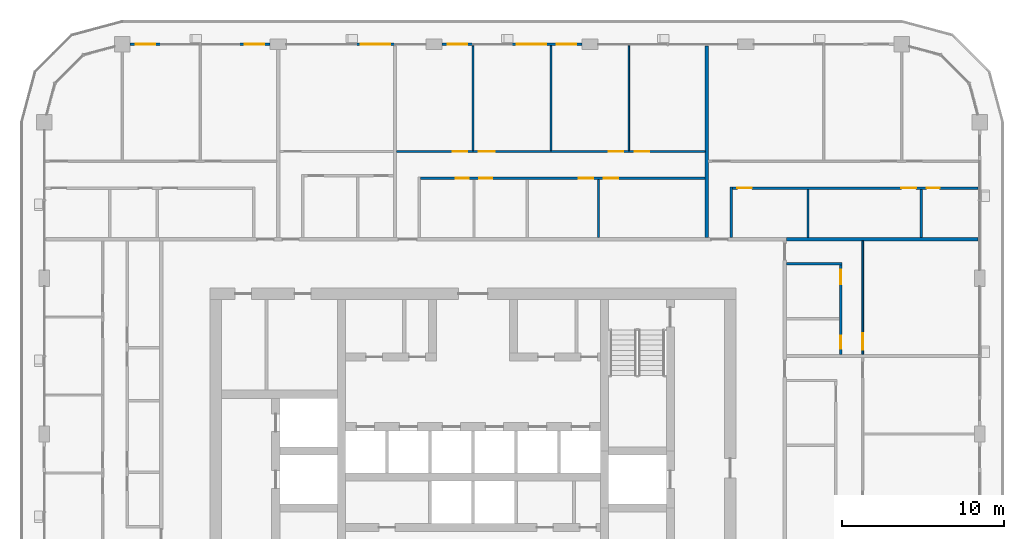
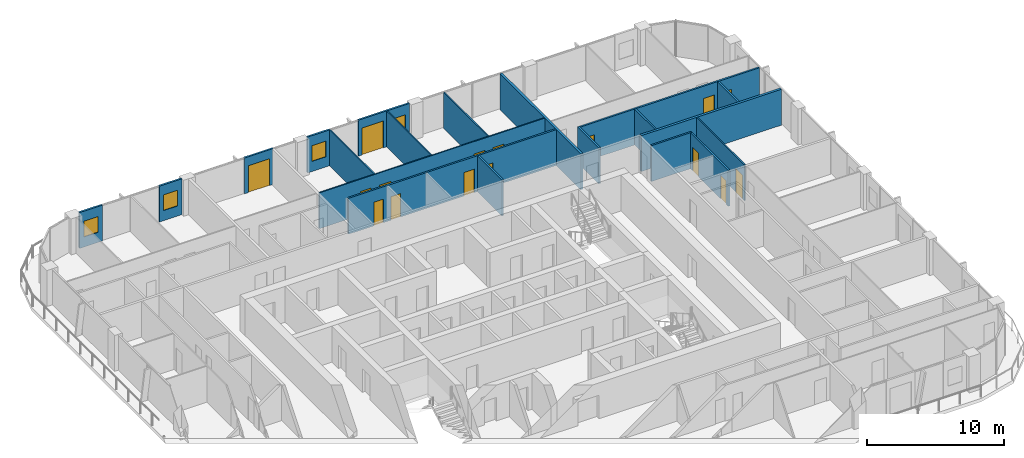
# One storey, part 15 of 23: 20 walls, 16 doors, 4 windows, 20 openings.
"""IFC4 building model written with IfcOpenShell, lengths in metres."""

import ifcopenshell
import ifcopenshell.guid

model = None  # the IFC model being written
_history = None  # IfcOwnerHistory: only IFC2X3 demands one
_inside = {}  # id of a spatial element -> (the spatial element, [elements in it])
_under = {}  # id of a project, library or spatial element -> (it, [spatial elements below it])
_declared = {}  # id of a project -> (the project, [libraries it declares])
_typed = {}  # id of a type object -> (the type object, [elements of that type])
_made_of = {}  # id of a material, layer set ... -> (it, [elements and type objects made of it])


def new_model(schema):
    """Start an empty IFC model of exactly this schema.

    Asked for "IFC4X3", IfcOpenShell would pick the latest addendum, in which some entities
    have other attributes; the version numbers below select the first issue.
    IFC2X3 requires an IfcOwnerHistory on every rooted entity: one is made here for all.
    """
    global model, _history
    if schema == "IFC4X3":
        model = ifcopenshell.file(schema_version=(4, 3, 0, 0))
    else:
        model = ifcopenshell.file(schema=schema)
    _inside.clear()
    _under.clear()
    _declared.clear()
    _typed.clear()
    _made_of.clear()
    _history = None
    if model.schema == "IFC2X3":
        org = make("IfcOrganization", Name="unknown")
        user = make(
            "IfcPersonAndOrganization",
            ThePerson=make("IfcPerson", FamilyName="unknown"),
            TheOrganization=org,
        )
        app = make(
            "IfcApplication",
            ApplicationDeveloper=org,
            Version="unknown",
            ApplicationFullName="unknown",
            ApplicationIdentifier="unknown",
        )
        _history = make(
            "IfcOwnerHistory",
            OwningUser=user,
            OwningApplication=app,
            ChangeAction="ADDED",
            CreationDate=0,
        )
    return model


def make(cls, **values):
    """One entity of the class cls with the attributes given. An attribute that is None is left unset."""
    return model.create_entity(
        cls, **{name: value for name, value in values.items() if value is not None}
    )


def rooted(cls, **values):
    """An entity with a GlobalId (a new one), such as an element, a storey or a relation."""
    return make(cls, GlobalId=ifcopenshell.guid.new(), OwnerHistory=_history, **values)


def si_unit(unit_type, name, prefix=None):
    """IfcSIUnit, for example si_unit("LENGTHUNIT", "METRE", prefix="MILLI")."""
    return make("IfcSIUnit", UnitType=unit_type, Prefix=prefix, Name=name)


def assignment(units):
    """IfcUnitAssignment: the units of a project."""
    return None if units is None else make("IfcUnitAssignment", Units=units)


def point(xyz):
    """IfcCartesianPoint."""
    return None if xyz is None else make("IfcCartesianPoint", Coordinates=xyz)


def direction(xyz):
    """IfcDirection."""
    return None if xyz is None else make("IfcDirection", DirectionRatios=xyz)


def frame(location, z_axis=None, x_axis=None):
    """IfcAxis2Placement3D, a coordinate frame: its origin and axes. An axis left out is left unset."""
    return make(
        "IfcAxis2Placement3D",
        Location=point(location),
        Axis=direction(z_axis),
        RefDirection=direction(x_axis),
    )


def frame_2d(location, x_axis=None):
    """IfcAxis2Placement2D, a coordinate frame in the plane: its origin and x axis."""
    return make(
        "IfcAxis2Placement2D", Location=point(location), RefDirection=direction(x_axis)
    )


def origin():
    """The frame at (0, 0, 0) with its axes left unset."""
    return frame((0.0, 0.0, 0.0))


def place(relative_to, where):
    """IfcLocalPlacement: puts the frame where relative to a parent placement (None: the world)."""
    return make(
        "IfcLocalPlacement", PlacementRelTo=relative_to, RelativePlacement=where
    )


def context(
    kind, dimensions, precision=None, world=None, true_north=None, identifier=None
):
    """IfcGeometricRepresentationContext, for example the 3D "Model" context."""
    return make(
        "IfcGeometricRepresentationContext",
        ContextIdentifier=identifier,
        ContextType=kind,
        CoordinateSpaceDimension=dimensions,
        Precision=precision,
        WorldCoordinateSystem=world,
        TrueNorth=true_north,
    )


def subcontext(parent, identifier, kind, view, scale=None):
    """IfcGeometricRepresentationSubContext, for example "Body" below "Model"."""
    return make(
        "IfcGeometricRepresentationSubContext",
        ContextIdentifier=identifier,
        ContextType=kind,
        ParentContext=parent,
        TargetScale=scale,
        TargetView=view,
    )


def project(units=None, contexts=None):
    """IfcProject with its units and contexts."""
    return rooted(
        "IfcProject",
        Name="project",
        RepresentationContexts=contexts,
        UnitsInContext=assignment(units),
    )


def spatial(cls, under=None, at=None, **own):
    """A site, building, storey or space (cls), placed at a placement, below another one or the project."""
    s = rooted(cls, ObjectPlacement=at, **own)
    if under is not None:
        _under.setdefault(under.id(), (under, []))[1].append(s)
    return s


def profile(cls, at=None, kind="AREA", **sizes):
    """A parametric profile (cls). Its sizes go by their IFC names, for example OverallWidth=200.0."""
    return make(cls, ProfileType=kind, Position=at, **sizes)


def rectangle(**sizes):
    """IfcRectangleProfileDef."""
    return profile("IfcRectangleProfileDef", **sizes)


def extrude(swept, where, along, depth):
    """IfcExtrudedAreaSolid: the profile swept, set in the frame where, extruded along a direction by depth."""
    return make(
        "IfcExtrudedAreaSolid",
        SweptArea=swept,
        Position=where,
        ExtrudedDirection=direction(along),
        Depth=depth,
    )


def shape(context_of_items, identifier, shape_type, items):
    """IfcShapeRepresentation: the items that make up one representation, for example the "Body"."""
    return make(
        "IfcShapeRepresentation",
        ContextOfItems=context_of_items,
        RepresentationIdentifier=identifier,
        RepresentationType=shape_type,
        Items=items,
    )


def material(Name=None, Category=None):
    """IfcMaterial."""
    return make("IfcMaterial", Name=Name, Category=Category)


def layer(
    of_material, thickness, ventilated=None, Name=None, Category=None, Priority=None
):
    """IfcMaterialLayer: one layer of a wall or slab, of a material (None: an air gap)."""
    return make(
        "IfcMaterialLayer",
        Material=of_material,
        LayerThickness=thickness,
        IsVentilated=ventilated,
        Name=Name,
        Category=Category,
        Priority=Priority,
    )


def layer_set(layers, Name=None):
    """IfcMaterialLayerSet."""
    return make("IfcMaterialLayerSet", MaterialLayers=layers, LayerSetName=Name)


def made_of(thing, what):
    """Note that an element or type object is made of a material, layer set ...; save() writes the relation."""
    if what is not None:
        _made_of.setdefault(what.id(), (what, []))[1].append(thing)
    return thing


def type_object(cls, material=None, **own):
    """A type object (cls), such as IfcWallType, which elements share."""
    return made_of(rooted(cls, **own), material)


def element(
    cls,
    number,
    at=None,
    inside=None,
    cuts=None,
    type_object=None,
    material=None,
    context=None,
    identifier="Body",
    shape_type=None,
    held_by="IfcProductDefinitionShape",
    body=None,
    shapes=None,
    **own,
):
    """One element of the class cls, such as IfcWall. Its Tag is "e" and its number.

    at: its placement. inside: the storey or other place that contains it. cuts: it is an
    opening in that element (IfcRelVoidsElement). A single representation is given by context,
    identifier, shape_type and body (its items); several are given by shapes. held_by: the class
    of the entity that holds the representations. save() writes the other relations.
    """
    e = rooted(cls, Tag="e%d" % number, ObjectPlacement=at, **own)
    if body is not None:
        shapes = [shape(context, identifier, shape_type, body)]
    if shapes is not None:
        e.Representation = make(held_by, Representations=shapes)
    if inside is not None:
        _inside.setdefault(inside.id(), (inside, []))[1].append(e)
    if cuts is not None:
        rooted(
            "IfcRelVoidsElement", RelatingBuildingElement=cuts, RelatedOpeningElement=e
        )
    if type_object is not None:
        _typed.setdefault(type_object.id(), (type_object, []))[1].append(e)
    return made_of(e, material)


def fill(opening, filler):
    """IfcRelFillsElement: the door or window that sits in an opening."""
    return rooted(
        "IfcRelFillsElement",
        RelatingOpeningElement=opening,
        RelatedBuildingElement=filler,
    )


def aggregate(whole, parts):
    """IfcRelAggregates: a whole, such as a stair, and the parts it consists of."""
    return rooted("IfcRelAggregates", RelatingObject=whole, RelatedObjects=parts)


def save(model, path):
    """Write the relations noted so far, then the file.

    IfcRelAggregates (storeys below a building ...), IfcRelContainedInSpatialStructure (elements
    in a storey), IfcRelDefinesByType, IfcRelAssociatesMaterial and IfcRelDeclares: one each for
    every whole, place, type object, material and project.
    """
    for whole, parts in _under.values():
        aggregate(whole, parts)
    for where, things in _inside.values():
        rooted(
            "IfcRelContainedInSpatialStructure",
            RelatedElements=things,
            RelatingStructure=where,
        )
    for kind, things in _typed.values():
        rooted("IfcRelDefinesByType", RelatedObjects=things, RelatingType=kind)
    for what, things in _made_of.values():
        rooted("IfcRelAssociatesMaterial", RelatedObjects=things, RelatingMaterial=what)
    for by, libraries in _declared.values():
        rooted("IfcRelDeclares", RelatingContext=by, RelatedDefinitions=libraries)
    model.write(path)


model = new_model("IFC4")

# Units and contexts
model_context = context("Model", 3, precision=1e-05, world=origin(), true_north=direction((0.0, 1.0)))
body_context = subcontext(model_context, "Body", "Model", "MODEL_VIEW")
ifc_project = project(units=[si_unit("LENGTHUNIT", "METRE"), si_unit("AREAUNIT", "SQUARE_METRE"), si_unit("VOLUMEUNIT", "CUBIC_METRE"), si_unit("PLANEANGLEUNIT", "RADIAN"), si_unit("MASSUNIT", "GRAM", prefix="KILO")], contexts=[model_context])

# Site, building, storey
site_placement = place(None, origin())
site = spatial("IfcSite", under=ifc_project, at=site_placement, CompositionType="ELEMENT")
building_placement = place(site_placement, origin())
building = spatial("IfcBuilding", under=site, at=building_placement, Name="Madar Terraces", CompositionType="ELEMENT")
storey_placement = place(building_placement, frame((0.0, 0.0, 226.300048828125)))
storey = spatial("IfcBuildingStorey", under=building, at=storey_placement, Name="L59", CompositionType="ELEMENT", Elevation=226.300048828125)

# Wall, openings, door, window
ifc_material_1 = material(Name="Aluminium composite panel, black, over insulated backing", Category="aluminium")
ifc_layer_1 = layer(ifc_material_1, 0.14990234375)
ifc_layer_set_1 = layer_set([ifc_layer_1], Name="Facade bay panel 150")
wall_type_1 = type_object("IfcWallType", Name="Facade bay panel 150", PredefinedType="SOLIDWALL", material=ifc_layer_set_1)
wall_1_placement = place(storey_placement, frame((37.89990234375, 52.800048828125, 0.0), z_axis=(0.0, 0.0, 1.0), x_axis=(-1.0, 0.0, 0.0)))
wall_1 = element("IfcWall", 1, at=wall_1_placement, inside=storey, type_object=wall_type_1, Name="Facade bay panel", PredefinedType="SOLIDWALL", context=body_context, shape_type="SweptSolid", body=[
    extrude(rectangle(XDim=4.2998046875, YDim=0.14990234375, at=frame_2d((2.14990234375, 0.0))), origin(), (0.0, 0.0, 1.0), 3.199951171875),
])
opening_1_placement = place(wall_1_placement, frame((0.35009765625, 0.0, 0.89990234375)))
opening_1 = element("IfcOpeningElement", 2, at=opening_1_placement, cuts=wall_1, Name="Opening W1", PredefinedType="OPENING", context=body_context, shape_type="SweptSolid", body=[
    extrude(rectangle(XDim=1.199951171875, YDim=1.39990234375, at=frame_2d((0.60009765625, 0.699951171875))), frame((0.0, 0.0849609375, 0.0), z_axis=(0.0, -1.0, 0.0), x_axis=(1.0, 0.0, 0.0)), (0.0, 0.0, 1.0), 0.169921875),
])
opening_2_placement = place(wall_1_placement, frame((2.199951171875, 0.0, 0.0)))
opening_2 = element("IfcOpeningElement", 3, at=opening_2_placement, cuts=wall_1, Name="Opening ED1", PredefinedType="OPENING", context=body_context, shape_type="SweptSolid", body=[
    extrude(rectangle(XDim=1.800048828125, YDim=2.39990234375, at=frame_2d((0.89990234375, 1.199951171875))), frame((0.0, 0.0849609375, 0.0), z_axis=(0.0, -1.0, 0.0), x_axis=(1.0, 0.0, 0.0)), (0.0, 0.0, 1.0), 0.169921875),
])
ifc_material_2 = material(Name="Glass, clear, with black aluminium frame", Category="aluminium")
door_type_1 = type_object("IfcDoorType", Name="Balcony and terrace sliding door 1800 x 2400", OperationType="SLIDING_TO_LEFT", PredefinedType="DOOR", material=ifc_material_2)
door_1_placement = place(opening_2_placement, origin())
door_1 = element("IfcDoor", 4, at=door_1_placement, inside=storey, type_object=door_type_1, Name="Balcony door", OperationType="SLIDING_TO_LEFT", OverallHeight=2.39990234375, OverallWidth=1.800048828125, PredefinedType="DOOR", context=body_context, shape_type="SweptSolid", body=[
    extrude(rectangle(XDim=1.800048828125, YDim=2.39990234375, at=frame_2d((0.89990234375, 1.199951171875))), frame((0.0, 0.02490234375, 0.0), z_axis=(0.0, -1.0, 0.0), x_axis=(1.0, 0.0, 0.0)), (0.0, 0.0, 1.0), 0.050048828125),
])
fill(opening_2, door_1)
ifc_material_3 = material(Name="Glass, clear, with black aluminium frame", Category="aluminium")
window_type = type_object("IfcWindowType", Name="Vent window 1200 x 1400", PartitioningType="SINGLE_PANEL", PredefinedType="WINDOW", material=ifc_material_3)
window_1_placement = place(opening_1_placement, origin())
window_1 = element("IfcWindow", 5, at=window_1_placement, inside=storey, type_object=window_type, Name="Operable vent window", OverallHeight=1.39990234375, OverallWidth=1.199951171875, PartitioningType="SINGLE_PANEL", PredefinedType="WINDOW", context=body_context, shape_type="SweptSolid", body=[
    extrude(rectangle(XDim=1.199951171875, YDim=1.39990234375, at=frame_2d((0.60009765625, 0.699951171875))), frame((0.0, 0.030029296875, 0.0), z_axis=(0.0, -1.0, 0.0), x_axis=(1.0, 0.0, 0.0)), (0.0, 0.0, 1.0), 0.06005859375),
])
fill(opening_1, window_1)

# Wall, opening, window
wall_2_placement = place(storey_placement, frame((31.199951171875, 52.800048828125, 0.0), z_axis=(0.0, 0.0, 1.0), x_axis=(-1.0, 0.0, 0.0)))
wall_2 = element("IfcWall", 6, at=wall_2_placement, inside=storey, type_object=wall_type_1, Name="Facade bay panel", PredefinedType="SOLIDWALL", context=body_context, shape_type="SweptSolid", body=[
    extrude(rectangle(XDim=1.89990234375, YDim=0.14990234375, at=frame_2d((0.949951171875, 0.0))), origin(), (0.0, 0.0, 1.0), 3.199951171875),
])
opening_3_placement = place(wall_2_placement, frame((0.35009765625, 0.0, 0.89990234375)))
opening_3 = element("IfcOpeningElement", 7, at=opening_3_placement, cuts=wall_2, Name="Opening W1", PredefinedType="OPENING", context=body_context, shape_type="SweptSolid", body=[
    extrude(rectangle(XDim=1.199951171875, YDim=1.39990234375, at=frame_2d((0.60009765625, 0.699951171875))), frame((0.0, 0.0849609375, 0.0), z_axis=(0.0, -1.0, 0.0), x_axis=(1.0, 0.0, 0.0)), (0.0, 0.0, 1.0), 0.169921875),
])
window_2_placement = place(opening_3_placement, origin())
window_2 = element("IfcWindow", 8, at=window_2_placement, inside=storey, type_object=window_type, Name="Operable vent window", OverallHeight=1.39990234375, OverallWidth=1.199951171875, PartitioningType="SINGLE_PANEL", PredefinedType="WINDOW", context=body_context, shape_type="SweptSolid", body=[
    extrude(rectangle(XDim=1.199951171875, YDim=1.39990234375, at=frame_2d((0.60009765625, 0.699951171875))), frame((0.0, 0.030029296875, 0.0), z_axis=(0.0, -1.0, 0.0), x_axis=(1.0, 0.0, 0.0)), (0.0, 0.0, 1.0), 0.06005859375),
])
fill(opening_3, window_2)

# Wall, opening, door
wall_3_placement = place(storey_placement, frame((26.39990234375, 52.800048828125, 0.0), z_axis=(0.0, 0.0, 1.0), x_axis=(-1.0, 0.0, 0.0)))
wall_3 = element("IfcWall", 9, at=wall_3_placement, inside=storey, type_object=wall_type_1, Name="Facade bay panel", PredefinedType="SOLIDWALL", context=body_context, shape_type="SweptSolid", body=[
    extrude(rectangle(XDim=2.39990234375, YDim=0.14990234375, at=frame_2d((1.199951171875, 0.0))), origin(), (0.0, 0.0, 1.0), 3.199951171875),
])
opening_4_placement = place(wall_3_placement, frame((0.300048828125, 0.0, 0.0)))
opening_4 = element("IfcOpeningElement", 10, at=opening_4_placement, cuts=wall_3, Name="Opening ED1", PredefinedType="OPENING", context=body_context, shape_type="SweptSolid", body=[
    extrude(rectangle(XDim=1.800048828125, YDim=2.39990234375, at=frame_2d((0.89990234375, 1.199951171875))), frame((0.0, 0.0849609375, 0.0), z_axis=(0.0, -1.0, 0.0), x_axis=(1.0, 0.0, 0.0)), (0.0, 0.0, 1.0), 0.169921875),
])
door_2_placement = place(opening_4_placement, origin())
door_2 = element("IfcDoor", 11, at=door_2_placement, inside=storey, type_object=door_type_1, Name="Balcony door", OperationType="SLIDING_TO_RIGHT", OverallHeight=2.39990234375, OverallWidth=1.800048828125, PredefinedType="DOOR", context=body_context, shape_type="SweptSolid", body=[
    extrude(rectangle(XDim=1.800048828125, YDim=2.39990234375, at=frame_2d((0.89990234375, 1.199951171875))), frame((0.0, 0.02490234375, 0.0), z_axis=(0.0, -1.0, 0.0), x_axis=(1.0, 0.0, 0.0)), (0.0, 0.0, 1.0), 0.050048828125),
])
fill(opening_4, door_2)

# Wall, opening, window
wall_4_placement = place(storey_placement, frame((18.699951171875, 52.800048828125, 0.0), z_axis=(0.0, 0.0, 1.0), x_axis=(-1.0, 0.0, 0.0)))
wall_4 = element("IfcWall", 12, at=wall_4_placement, inside=storey, type_object=wall_type_1, Name="Facade bay panel", PredefinedType="SOLIDWALL", context=body_context, shape_type="SweptSolid", body=[
    extrude(rectangle(XDim=1.89990234375, YDim=0.14990234375, at=frame_2d((0.949951171875, 0.0))), origin(), (0.0, 0.0, 1.0), 3.199951171875),
])
opening_5_placement = place(wall_4_placement, frame((0.35009765625, 0.0, 0.89990234375)))
opening_5 = element("IfcOpeningElement", 13, at=opening_5_placement, cuts=wall_4, Name="Opening W1", PredefinedType="OPENING", context=body_context, shape_type="SweptSolid", body=[
    extrude(rectangle(XDim=1.199951171875, YDim=1.39990234375, at=frame_2d((0.60009765625, 0.699951171875))), frame((0.0, 0.0849609375, 0.0), z_axis=(0.0, -1.0, 0.0), x_axis=(1.0, 0.0, 0.0)), (0.0, 0.0, 1.0), 0.169921875),
])
window_3_placement = place(opening_5_placement, origin())
window_3 = element("IfcWindow", 14, at=window_3_placement, inside=storey, type_object=window_type, Name="Operable vent window", OverallHeight=1.39990234375, OverallWidth=1.199951171875, PartitioningType="SINGLE_PANEL", PredefinedType="WINDOW", context=body_context, shape_type="SweptSolid", body=[
    extrude(rectangle(XDim=1.199951171875, YDim=1.39990234375, at=frame_2d((0.60009765625, 0.699951171875))), frame((0.0, 0.030029296875, 0.0), z_axis=(0.0, -1.0, 0.0), x_axis=(1.0, 0.0, 0.0)), (0.0, 0.0, 1.0), 0.06005859375),
])
fill(opening_5, window_3)

wall_5_placement = place(storey_placement, frame((12.0, 52.800048828125, 0.0), z_axis=(0.0, 0.0, 1.0), x_axis=(-1.0, 0.0, 0.0)))
wall_5 = element("IfcWall", 15, at=wall_5_placement, inside=storey, type_object=wall_type_1, Name="Facade bay panel", PredefinedType="SOLIDWALL", context=body_context, shape_type="SweptSolid", body=[
    extrude(rectangle(XDim=1.925048828125, YDim=0.14990234375, at=frame_2d((0.96240234375, 0.0))), origin(), (0.0, 0.0, 1.0), 3.199951171875),
])
opening_6_placement = place(wall_5_placement, frame((0.362548828125, 0.0, 0.89990234375)))
opening_6 = element("IfcOpeningElement", 16, at=opening_6_placement, cuts=wall_5, Name="Opening W1", PredefinedType="OPENING", context=body_context, shape_type="SweptSolid", body=[
    extrude(rectangle(XDim=1.199951171875, YDim=1.39990234375, at=frame_2d((0.60009765625, 0.699951171875))), frame((0.0, 0.0849609375, 0.0), z_axis=(0.0, -1.0, 0.0), x_axis=(1.0, 0.0, 0.0)), (0.0, 0.0, 1.0), 0.169921875),
])
window_4_placement = place(opening_6_placement, origin())
window_4 = element("IfcWindow", 17, at=window_4_placement, inside=storey, type_object=window_type, Name="Operable vent window", OverallHeight=1.39990234375, OverallWidth=1.199951171875, PartitioningType="SINGLE_PANEL", PredefinedType="WINDOW", context=body_context, shape_type="SweptSolid", body=[
    extrude(rectangle(XDim=1.199951171875, YDim=1.39990234375, at=frame_2d((0.60009765625, 0.699951171875))), frame((0.0, 0.030029296875, 0.0), z_axis=(0.0, -1.0, 0.0), x_axis=(1.0, 0.0, 0.0)), (0.0, 0.0, 1.0), 0.06005859375),
])
fill(opening_6, window_4)

# Wall, opening, door
ifc_material_4 = material(Name="Gypsum board on steel studs", Category="steel")
ifc_layer_2 = layer(ifc_material_4, 0.10009765625)
ifc_layer_set_2 = layer_set([ifc_layer_2], Name="Flat partition 100")
wall_type_2 = type_object("IfcWallType", Name="Flat partition 100", PredefinedType="PARTITIONING", material=ifc_layer_set_2)
wall_6_placement = place(storey_placement, frame((55.199951171875, 40.699951171875, 0.0), z_axis=(0.0, 0.0, 1.0), x_axis=(0.0, -1.0, 0.0)))
wall_6 = element("IfcWall", 18, at=wall_6_placement, inside=storey, type_object=wall_type_2, Name="Flat partition 100", PredefinedType="PARTITIONING", context=body_context, shape_type="SweptSolid", body=[
    extrude(rectangle(XDim=7.0, YDim=0.10009765625, at=frame_2d((3.5, 0.0))), origin(), (0.0, 0.0, 1.0), 3.199951171875),
])
opening_7_placement = place(wall_6_placement, frame((5.699951171875, 0.0, 0.0)))
opening_7 = element("IfcOpeningElement", 19, at=opening_7_placement, cuts=wall_6, Name="Opening D3", PredefinedType="OPENING", context=body_context, shape_type="SweptSolid", body=[
    extrude(rectangle(XDim=1.0, YDim=2.10009765625, at=frame_2d((0.5, 1.050048828125))), frame((0.0, 0.06005859375, 0.0), z_axis=(0.0, -1.0, 0.0), x_axis=(1.0, 0.0, 0.0)), (0.0, 0.0, 1.0), 0.1201171875),
])
ifc_material_5 = material(Name="Timber door leaf", Category="wood")
door_type_2 = type_object("IfcDoorType", Name="Flat living room door 1000", OperationType="NOTDEFINED", PredefinedType="DOOR", material=ifc_material_5)
door_3_placement = place(opening_7_placement, origin())
door_3 = element("IfcDoor", 20, at=door_3_placement, inside=storey, type_object=door_type_2, Name="Flat living room door 1000", OperationType="SINGLE_SWING_RIGHT", OverallHeight=2.10009765625, OverallWidth=1.0, PredefinedType="DOOR", context=body_context, shape_type="SweptSolid", body=[
    extrude(rectangle(XDim=1.0, YDim=2.10009765625, at=frame_2d((0.5, 1.050048828125))), frame((0.0, 0.02490234375, 0.0), z_axis=(0.0, -1.0, 0.0), x_axis=(1.0, 0.0, 0.0)), (0.0, 0.0, 1.0), 0.050048828125),
])
fill(opening_7, door_3)

# Walls
for number, where, z_axis, x_axis, name in (
    (21, (31.199951171875, 46.25, 0.0), (0.0, 0.0, 1.0), (0.0, 1.0, 0.0), "Flat partition 100"),
    (22, (36.0, 46.25, 0.0), (0.0, 0.0, 1.0), (0.0, 1.0, 0.0), "Flat partition 100"),
    (23, (40.800048828125, 46.25, 0.0), (0.0, 0.0, 1.0), (0.0, 1.0, 0.0), "Flat partition 100"),
):
    element("IfcWall", number, at=place(storey_placement, frame(where, z_axis=z_axis, x_axis=x_axis)), inside=storey, type_object=wall_type_2, Name=name, PredefinedType="PARTITIONING", context=body_context, shape_type="SweptSolid", body=[
        extrude(rectangle(XDim=6.449951171875, YDim=0.10009765625, at=frame_2d((3.22509765625, 0.0))), origin(), (0.0, 0.0, 1.0), 3.199951171875),
    ])

# Wall, openings, doors
wall_7_placement = place(storey_placement, frame((26.5, 46.199951171875, 0.0), z_axis=(0.0, 0.0, 1.0), x_axis=(1.0, 0.0, 0.0)))
wall_7 = element("IfcWall", 24, at=wall_7_placement, inside=storey, type_object=wall_type_2, Name="Flat partition 100", PredefinedType="PARTITIONING", context=body_context, shape_type="SweptSolid", body=[
    extrude(rectangle(XDim=19.0, YDim=0.10009765625, at=frame_2d((9.5, 0.0))), origin(), (0.0, 0.0, 1.0), 3.199951171875),
])
opening_8_placement = place(wall_7_placement, frame((3.449951171875, 0.0, 0.0)))
opening_8 = element("IfcOpeningElement", 25, at=opening_8_placement, cuts=wall_7, Name="Opening D2", PredefinedType="OPENING", context=body_context, shape_type="SweptSolid", body=[
    extrude(rectangle(XDim=0.89990234375, YDim=2.10009765625, at=frame_2d((0.449951171875, 1.050048828125))), frame((0.0, 0.06005859375, 0.0), z_axis=(0.0, -1.0, 0.0), x_axis=(1.0, 0.0, 0.0)), (0.0, 0.0, 1.0), 0.1201171875),
])
opening_9_placement = place(wall_7_placement, frame((5.050048828125, 0.0, 0.0)))
opening_9 = element("IfcOpeningElement", 26, at=opening_9_placement, cuts=wall_7, Name="Opening D3", PredefinedType="OPENING", context=body_context, shape_type="SweptSolid", body=[
    extrude(rectangle(XDim=1.0, YDim=2.10009765625, at=frame_2d((0.5, 1.050048828125))), frame((0.0, 0.06005859375, 0.0), z_axis=(0.0, -1.0, 0.0), x_axis=(1.0, 0.0, 0.0)), (0.0, 0.0, 1.0), 0.1201171875),
])
opening_10_placement = place(wall_7_placement, frame((13.050048828125, 0.0, 0.0)))
opening_10 = element("IfcOpeningElement", 27, at=opening_10_placement, cuts=wall_7, Name="Opening D2", PredefinedType="OPENING", context=body_context, shape_type="SweptSolid", body=[
    extrude(rectangle(XDim=0.89990234375, YDim=2.10009765625, at=frame_2d((0.449951171875, 1.050048828125))), frame((0.0, 0.06005859375, 0.0), z_axis=(0.0, -1.0, 0.0), x_axis=(1.0, 0.0, 0.0)), (0.0, 0.0, 1.0), 0.1201171875),
])
opening_11_placement = place(wall_7_placement, frame((14.64990234375, 0.0, 0.0)))
opening_11 = element("IfcOpeningElement", 28, at=opening_11_placement, cuts=wall_7, Name="Opening D2", PredefinedType="OPENING", context=body_context, shape_type="SweptSolid", body=[
    extrude(rectangle(XDim=0.89990234375, YDim=2.10009765625, at=frame_2d((0.449951171875, 1.050048828125))), frame((0.0, 0.06005859375, 0.0), z_axis=(0.0, -1.0, 0.0), x_axis=(1.0, 0.0, 0.0)), (0.0, 0.0, 1.0), 0.1201171875),
])
door_4_placement = place(opening_9_placement, origin())
door_4 = element("IfcDoor", 29, at=door_4_placement, inside=storey, type_object=door_type_2, Name="Flat living room door 1000", OperationType="SINGLE_SWING_LEFT", OverallHeight=2.10009765625, OverallWidth=1.0, PredefinedType="DOOR", context=body_context, shape_type="SweptSolid", body=[
    extrude(rectangle(XDim=1.0, YDim=2.10009765625, at=frame_2d((0.5, 1.050048828125))), frame((0.0, 0.02490234375, 0.0), z_axis=(0.0, -1.0, 0.0), x_axis=(1.0, 0.0, 0.0)), (0.0, 0.0, 1.0), 0.050048828125),
])
fill(opening_9, door_4)
ifc_material_6 = material(Name="Timber door leaf", Category="wood")
door_type_3 = type_object("IfcDoorType", Name="Flat room door 900", OperationType="NOTDEFINED", PredefinedType="DOOR", material=ifc_material_6)
door_5_placement = place(opening_8_placement, origin())
door_5 = element("IfcDoor", 30, at=door_5_placement, inside=storey, type_object=door_type_3, Name="Flat room door 900", OperationType="SINGLE_SWING_RIGHT", OverallHeight=2.10009765625, OverallWidth=0.89990234375, PredefinedType="DOOR", context=body_context, shape_type="SweptSolid", body=[
    extrude(rectangle(XDim=0.89990234375, YDim=2.10009765625, at=frame_2d((0.449951171875, 1.050048828125))), frame((0.0, 0.02490234375, 0.0), z_axis=(0.0, -1.0, 0.0), x_axis=(1.0, 0.0, 0.0)), (0.0, 0.0, 1.0), 0.050048828125),
])
fill(opening_8, door_5)
door_6_placement = place(opening_10_placement, origin())
door_6 = element("IfcDoor", 31, at=door_6_placement, inside=storey, type_object=door_type_3, Name="Flat room door 900", OperationType="SINGLE_SWING_RIGHT", OverallHeight=2.10009765625, OverallWidth=0.89990234375, PredefinedType="DOOR", context=body_context, shape_type="SweptSolid", body=[
    extrude(rectangle(XDim=0.89990234375, YDim=2.10009765625, at=frame_2d((0.449951171875, 1.050048828125))), frame((0.0, 0.02490234375, 0.0), z_axis=(0.0, -1.0, 0.0), x_axis=(1.0, 0.0, 0.0)), (0.0, 0.0, 1.0), 0.050048828125),
])
fill(opening_10, door_6)
door_7_placement = place(opening_11_placement, origin())
door_7 = element("IfcDoor", 32, at=door_7_placement, inside=storey, type_object=door_type_3, Name="Flat room door 900", OperationType="SINGLE_SWING_LEFT", OverallHeight=2.10009765625, OverallWidth=0.89990234375, PredefinedType="DOOR", context=body_context, shape_type="SweptSolid", body=[
    extrude(rectangle(XDim=0.89990234375, YDim=2.10009765625, at=frame_2d((0.449951171875, 1.050048828125))), frame((0.0, 0.02490234375, 0.0), z_axis=(0.0, -1.0, 0.0), x_axis=(1.0, 0.0, 0.0)), (0.0, 0.0, 1.0), 0.050048828125),
])
fill(opening_11, door_7)

# Walls
ifc_material_7 = material(Name="Lightweight blockwork", Category="masonry")
ifc_layer_3 = layer(ifc_material_7, 0.199951171875)
ifc_layer_set_3 = layer_set([ifc_layer_3], Name="Flat party and entrance wall 200")
wall_type_3 = type_object("IfcWallType", Name="Flat party and entrance wall 200", PredefinedType="PARTITIONING", material=ifc_layer_set_3)
for number, where, z_axis, x_axis, name in (
    (33, (50.5, 40.800048828125, 0.0), (0.0, 0.0, 1.0), (1.0, 0.0, 0.0), "Flat party and entrance wall 200"),
    (34, (45.60009765625, 52.699951171875, 0.0), (0.0, 0.0, 1.0), (0.0, -1.0, 0.0), "Flat party and entrance wall 200"),
):
    element("IfcWall", number, at=place(storey_placement, frame(where, z_axis=z_axis, x_axis=x_axis)), inside=storey, type_object=wall_type_3, Name=name, PredefinedType="PARTITIONING", context=body_context, shape_type="SweptSolid", body=[
        extrude(rectangle(XDim=11.800048828125, YDim=0.199951171875, at=frame_2d((5.89990234375, 0.0))), origin(), (0.0, 0.0, 1.0), 3.199951171875),
    ])
ifc_material_8 = material(Name="Lightweight blockwork", Category="masonry")
ifc_layer_4 = layer(ifc_material_8, 0.14990234375)
ifc_layer_set_4 = layer_set([ifc_layer_4], Name="Flat wet-room partition 150")
wall_type_4 = type_object("IfcWallType", Name="Flat wet-room partition 150", PredefinedType="PARTITIONING", material=ifc_layer_set_4)
wall_8_placement = place(storey_placement, frame((50.5, 39.300048828125, 0.0), z_axis=(0.0, 0.0, 1.0), x_axis=(1.0, 0.0, 0.0)))
element("IfcWall", 35, at=wall_8_placement, inside=storey, type_object=wall_type_4, Name="Flat wet-room partition 150", PredefinedType="PARTITIONING", context=body_context, shape_type="SweptSolid", body=[
    extrude(rectangle(XDim=3.425048828125, YDim=0.14990234375, at=frame_2d((1.71240234375, 0.0))), origin(), (0.0, 0.0, 1.0), 3.199951171875),
])

# Wall, openings, doors
wall_9_placement = place(storey_placement, frame((53.85009765625, 33.699951171875, 0.0), z_axis=(0.0, 0.0, 1.0), x_axis=(0.0, 1.0, 0.0)))
wall_9 = element("IfcWall", 36, at=wall_9_placement, inside=storey, type_object=wall_type_4, Name="Flat wet-room partition 150", PredefinedType="PARTITIONING", context=body_context, shape_type="SweptSolid", body=[
    extrude(rectangle(XDim=5.525146484375, YDim=0.14990234375, at=frame_2d((2.7626953125, 0.0))), origin(), (0.0, 0.0, 1.0), 3.199951171875),
])
opening_12_placement = place(wall_9_placement, frame((4.324951171875, 0.0, 0.0)))
opening_12 = element("IfcOpeningElement", 37, at=opening_12_placement, cuts=wall_9, Name="Opening D2", PredefinedType="OPENING", context=body_context, shape_type="SweptSolid", body=[
    extrude(rectangle(XDim=0.89990234375, YDim=2.10009765625, at=frame_2d((0.449951171875, 1.050048828125))), frame((0.0, 0.0849609375, 0.0), z_axis=(0.0, -1.0, 0.0), x_axis=(1.0, 0.0, 0.0)), (0.0, 0.0, 1.0), 0.169921875),
])
opening_13_placement = place(wall_9_placement, frame((0.35009765625, 0.0, 0.0)))
opening_13 = element("IfcOpeningElement", 38, at=opening_13_placement, cuts=wall_9, Name="Opening D4", PredefinedType="OPENING", context=body_context, shape_type="SweptSolid", body=[
    extrude(rectangle(XDim=0.800048828125, YDim=2.10009765625, at=frame_2d((0.39990234375, 1.050048828125))), frame((0.0, 0.0849609375, 0.0), z_axis=(0.0, -1.0, 0.0), x_axis=(1.0, 0.0, 0.0)), (0.0, 0.0, 1.0), 0.169921875),
])
ifc_material_9 = material(Name="Timber door leaf", Category="wood")
door_type_4 = type_object("IfcDoorType", Name="Flat bathroom door 800", OperationType="NOTDEFINED", PredefinedType="DOOR", material=ifc_material_9)
door_8_placement = place(opening_13_placement, origin())
door_8 = element("IfcDoor", 39, at=door_8_placement, inside=storey, type_object=door_type_4, Name="Flat bathroom door 800", OperationType="SINGLE_SWING_LEFT", OverallHeight=2.10009765625, OverallWidth=0.800048828125, PredefinedType="DOOR", context=body_context, shape_type="SweptSolid", body=[
    extrude(rectangle(XDim=0.800048828125, YDim=2.10009765625, at=frame_2d((0.39990234375, 1.050048828125))), frame((0.0, 0.02490234375, 0.0), z_axis=(0.0, -1.0, 0.0), x_axis=(1.0, 0.0, 0.0)), (0.0, 0.0, 1.0), 0.050048828125),
])
fill(opening_13, door_8)
door_9_placement = place(opening_12_placement, origin())
door_9 = element("IfcDoor", 40, at=door_9_placement, inside=storey, type_object=door_type_3, Name="Flat room door 900", OperationType="SINGLE_SWING_RIGHT", OverallHeight=2.10009765625, OverallWidth=0.89990234375, PredefinedType="DOOR", context=body_context, shape_type="SweptSolid", body=[
    extrude(rectangle(XDim=0.89990234375, YDim=2.10009765625, at=frame_2d((0.449951171875, 1.050048828125))), frame((0.0, 0.02490234375, 0.0), z_axis=(0.0, -1.0, 0.0), x_axis=(1.0, 0.0, 0.0)), (0.0, 0.0, 1.0), 0.050048828125),
])
fill(opening_12, door_9)

# Walls
for number, where, z_axis, x_axis, name in (
    (41, (51.828857421875, 40.89990234375, 0.0), (0.0, 0.0, 1.0), (0.0, 1.0, 0.0), "Flat wet-room partition 150"),
    (42, (58.8095703125, 40.89990234375, 0.0), (0.0, 0.0, 1.0), (0.0, 1.0, 0.0), "Flat wet-room partition 150"),
):
    element("IfcWall", number, at=place(storey_placement, frame(where, z_axis=z_axis, x_axis=x_axis)), inside=storey, type_object=wall_type_4, Name=name, PredefinedType="PARTITIONING", context=body_context, shape_type="SweptSolid", body=[
        extrude(rectangle(XDim=2.97509765625, YDim=0.14990234375, at=frame_2d((1.487548828125, 0.0))), origin(), (0.0, 0.0, 1.0), 3.199951171875),
    ])
wall_10_placement = place(storey_placement, frame((47.10009765625, 40.89990234375, 0.0), z_axis=(0.0, 0.0, 1.0), x_axis=(0.0, 1.0, 0.0)))
element("IfcWall", 43, at=wall_10_placement, inside=storey, type_object=wall_type_4, Name="Flat wet-room partition 150", PredefinedType="PARTITIONING", context=body_context, shape_type="SweptSolid", body=[
    extrude(rectangle(XDim=3.125, YDim=0.14990234375, at=frame_2d((1.5625, 0.0))), origin(), (0.0, 0.0, 1.0), 3.199951171875),
])

# Wall, openings, doors
wall_11_placement = place(storey_placement, frame((62.300048828125, 43.949951171875, 0.0), z_axis=(0.0, 0.0, 1.0), x_axis=(-1.0, 0.0, 0.0)))
wall_11 = element("IfcWall", 44, at=wall_11_placement, inside=storey, type_object=wall_type_4, Name="Flat wet-room partition 150", PredefinedType="PARTITIONING", context=body_context, shape_type="SweptSolid", body=[
    extrude(rectangle(XDim=15.125, YDim=0.14990234375, at=frame_2d((7.5625, 0.0))), origin(), (0.0, 0.0, 1.0), 3.199951171875),
])
opening_14_placement = place(wall_11_placement, frame((13.925048828125, 0.0, 0.0)))
opening_14 = element("IfcOpeningElement", 45, at=opening_14_placement, cuts=wall_11, Name="Opening D5", PredefinedType="OPENING", context=body_context, shape_type="SweptSolid", body=[
    extrude(rectangle(XDim=0.89990234375, YDim=2.10009765625, at=frame_2d((0.449951171875, 1.050048828125))), frame((0.0, 0.0849609375, 0.0), z_axis=(0.0, -1.0, 0.0), x_axis=(1.0, 0.0, 0.0)), (0.0, 0.0, 1.0), 0.169921875),
])
opening_15_placement = place(wall_11_placement, frame((3.8154296875, 0.0, 0.0)))
opening_15 = element("IfcOpeningElement", 46, at=opening_15_placement, cuts=wall_11, Name="Opening D2", PredefinedType="OPENING", context=body_context, shape_type="SweptSolid", body=[
    extrude(rectangle(XDim=0.89990234375, YDim=2.10009765625, at=frame_2d((0.449951171875, 1.050048828125))), frame((0.0, 0.0849609375, 0.0), z_axis=(0.0, -1.0, 0.0), x_axis=(1.0, 0.0, 0.0)), (0.0, 0.0, 1.0), 0.169921875),
])
opening_16_placement = place(wall_11_placement, frame((2.365478515625, 0.0, 0.0)))
opening_16 = element("IfcOpeningElement", 47, at=opening_16_placement, cuts=wall_11, Name="Opening D4", PredefinedType="OPENING", context=body_context, shape_type="SweptSolid", body=[
    extrude(rectangle(XDim=0.800048828125, YDim=2.10009765625, at=frame_2d((0.39990234375, 1.050048828125))), frame((0.0, 0.0849609375, 0.0), z_axis=(0.0, -1.0, 0.0), x_axis=(1.0, 0.0, 0.0)), (0.0, 0.0, 1.0), 0.169921875),
])
ifc_material_10 = material(Name="Timber door leaf", Category="wood")
door_type_5 = type_object("IfcDoorType", Name="Flat accessible bathroom door 900", OperationType="NOTDEFINED", PredefinedType="DOOR", material=ifc_material_10)
door_10_placement = place(opening_14_placement, origin())
door_10 = element("IfcDoor", 48, at=door_10_placement, inside=storey, type_object=door_type_5, Name="Flat accessible bathroom door 900", OperationType="SINGLE_SWING_RIGHT", OverallHeight=2.10009765625, OverallWidth=0.89990234375, PredefinedType="DOOR", context=body_context, shape_type="SweptSolid", body=[
    extrude(rectangle(XDim=0.89990234375, YDim=2.10009765625, at=frame_2d((0.449951171875, 1.050048828125))), frame((0.0, 0.02490234375, 0.0), z_axis=(0.0, -1.0, 0.0), x_axis=(1.0, 0.0, 0.0)), (0.0, 0.0, 1.0), 0.050048828125),
])
fill(opening_14, door_10)
door_11_placement = place(opening_16_placement, origin())
door_11 = element("IfcDoor", 49, at=door_11_placement, inside=storey, type_object=door_type_4, Name="Flat bathroom door 800", OperationType="SINGLE_SWING_RIGHT", OverallHeight=2.10009765625, OverallWidth=0.800048828125, PredefinedType="DOOR", context=body_context, shape_type="SweptSolid", body=[
    extrude(rectangle(XDim=0.800048828125, YDim=2.10009765625, at=frame_2d((0.39990234375, 1.050048828125))), frame((0.0, 0.02490234375, 0.0), z_axis=(0.0, -1.0, 0.0), x_axis=(1.0, 0.0, 0.0)), (0.0, 0.0, 1.0), 0.050048828125),
])
fill(opening_16, door_11)
door_12_placement = place(opening_15_placement, origin())
door_12 = element("IfcDoor", 50, at=door_12_placement, inside=storey, type_object=door_type_3, Name="Flat room door 900", OperationType="SINGLE_SWING_LEFT", OverallHeight=2.10009765625, OverallWidth=0.89990234375, PredefinedType="DOOR", context=body_context, shape_type="SweptSolid", body=[
    extrude(rectangle(XDim=0.89990234375, YDim=2.10009765625, at=frame_2d((0.449951171875, 1.050048828125))), frame((0.0, 0.02490234375, 0.0), z_axis=(0.0, -1.0, 0.0), x_axis=(1.0, 0.0, 0.0)), (0.0, 0.0, 1.0), 0.050048828125),
])
fill(opening_15, door_12)

# Wall
wall_12_placement = place(storey_placement, frame((38.927978515625, 40.89990234375, 0.0), z_axis=(0.0, 0.0, 1.0), x_axis=(0.0, 1.0, 0.0)))
element("IfcWall", 51, at=wall_12_placement, inside=storey, type_object=wall_type_4, Name="Flat wet-room partition 150", PredefinedType="PARTITIONING", context=body_context, shape_type="SweptSolid", body=[
    extrude(rectangle(XDim=3.5751953125, YDim=0.14990234375, at=frame_2d((1.78759765625, 0.0))), origin(), (0.0, 0.0, 1.0), 3.199951171875),
])

# Wall, openings, doors
wall_13_placement = place(storey_placement, frame((45.5, 44.550048828125, 0.0), z_axis=(0.0, 0.0, 1.0), x_axis=(-1.0, 0.0, 0.0)))
wall_13 = element("IfcWall", 52, at=wall_13_placement, inside=storey, type_object=wall_type_4, Name="Flat wet-room partition 150", PredefinedType="PARTITIONING", context=body_context, shape_type="SweptSolid", body=[
    extrude(rectangle(XDim=17.52490234375, YDim=0.14990234375, at=frame_2d((8.762451171875, 0.0))), origin(), (0.0, 0.0, 1.0), 3.199951171875),
])
opening_17_placement = place(wall_13_placement, frame((14.564208984375, 0.0, 0.0)))
opening_17 = element("IfcOpeningElement", 53, at=opening_17_placement, cuts=wall_13, Name="Opening D7", PredefinedType="OPENING", context=body_context, shape_type="SweptSolid", body=[
    extrude(rectangle(XDim=0.800048828125, YDim=2.10009765625, at=frame_2d((0.39990234375, 1.050048828125))), frame((0.0, 0.0849609375, 0.0), z_axis=(0.0, -1.0, 0.0), x_axis=(1.0, 0.0, 0.0)), (0.0, 0.0, 1.0), 0.169921875),
])
opening_18_placement = place(wall_13_placement, frame((13.114013671875, 0.0, 0.0)))
opening_18 = element("IfcOpeningElement", 54, at=opening_18_placement, cuts=wall_13, Name="Opening D4", PredefinedType="OPENING", context=body_context, shape_type="SweptSolid", body=[
    extrude(rectangle(XDim=0.800048828125, YDim=2.10009765625, at=frame_2d((0.39990234375, 1.050048828125))), frame((0.0, 0.0849609375, 0.0), z_axis=(0.0, -1.0, 0.0), x_axis=(1.0, 0.0, 0.0)), (0.0, 0.0, 1.0), 0.169921875),
])
opening_19_placement = place(wall_13_placement, frame((6.89697265625, 0.0, 0.0)))
opening_19 = element("IfcOpeningElement", 55, at=opening_19_placement, cuts=wall_13, Name="Opening D5", PredefinedType="OPENING", context=body_context, shape_type="SweptSolid", body=[
    extrude(rectangle(XDim=0.89990234375, YDim=2.10009765625, at=frame_2d((0.449951171875, 1.050048828125))), frame((0.0, 0.0849609375, 0.0), z_axis=(0.0, -1.0, 0.0), x_axis=(1.0, 0.0, 0.0)), (0.0, 0.0, 1.0), 0.169921875),
])
opening_20_placement = place(wall_13_placement, frame((5.346923828125, 0.0, 0.0)))
opening_20 = element("IfcOpeningElement", 56, at=opening_20_placement, cuts=wall_13, Name="Opening D2", PredefinedType="OPENING", context=body_context, shape_type="SweptSolid", body=[
    extrude(rectangle(XDim=0.89990234375, YDim=2.10009765625, at=frame_2d((0.449951171875, 1.050048828125))), frame((0.0, 0.0849609375, 0.0), z_axis=(0.0, -1.0, 0.0), x_axis=(1.0, 0.0, 0.0)), (0.0, 0.0, 1.0), 0.169921875),
])
door_13_placement = place(opening_19_placement, origin())
door_13 = element("IfcDoor", 57, at=door_13_placement, inside=storey, type_object=door_type_5, Name="Flat accessible bathroom door 900", OperationType="SINGLE_SWING_LEFT", OverallHeight=2.10009765625, OverallWidth=0.89990234375, PredefinedType="DOOR", context=body_context, shape_type="SweptSolid", body=[
    extrude(rectangle(XDim=0.89990234375, YDim=2.10009765625, at=frame_2d((0.449951171875, 1.050048828125))), frame((0.0, 0.02490234375, 0.0), z_axis=(0.0, -1.0, 0.0), x_axis=(1.0, 0.0, 0.0)), (0.0, 0.0, 1.0), 0.050048828125),
])
fill(opening_19, door_13)
door_14_placement = place(opening_18_placement, origin())
door_14 = element("IfcDoor", 58, at=door_14_placement, inside=storey, type_object=door_type_4, Name="Flat bathroom door 800", OperationType="SINGLE_SWING_RIGHT", OverallHeight=2.10009765625, OverallWidth=0.800048828125, PredefinedType="DOOR", context=body_context, shape_type="SweptSolid", body=[
    extrude(rectangle(XDim=0.800048828125, YDim=2.10009765625, at=frame_2d((0.39990234375, 1.050048828125))), frame((0.0, 0.02490234375, 0.0), z_axis=(0.0, -1.0, 0.0), x_axis=(1.0, 0.0, 0.0)), (0.0, 0.0, 1.0), 0.050048828125),
])
fill(opening_18, door_14)
door_15_placement = place(opening_20_placement, origin())
door_15 = element("IfcDoor", 59, at=door_15_placement, inside=storey, type_object=door_type_3, Name="Flat room door 900", OperationType="SINGLE_SWING_RIGHT", OverallHeight=2.10009765625, OverallWidth=0.89990234375, PredefinedType="DOOR", context=body_context, shape_type="SweptSolid", body=[
    extrude(rectangle(XDim=0.89990234375, YDim=2.10009765625, at=frame_2d((0.449951171875, 1.050048828125))), frame((0.0, 0.02490234375, 0.0), z_axis=(0.0, -1.0, 0.0), x_axis=(1.0, 0.0, 0.0)), (0.0, 0.0, 1.0), 0.050048828125),
])
fill(opening_20, door_15)
ifc_material_11 = material(Name="Timber door leaf", Category="wood")
door_type_6 = type_object("IfcDoorType", Name="Flat utility door 800", OperationType="NOTDEFINED", PredefinedType="DOOR", material=ifc_material_11)
door_16_placement = place(opening_17_placement, origin())
door_16 = element("IfcDoor", 60, at=door_16_placement, inside=storey, type_object=door_type_6, Name="Flat utility door 800", OperationType="SINGLE_SWING_LEFT", OverallHeight=2.10009765625, OverallWidth=0.800048828125, PredefinedType="DOOR", context=body_context, shape_type="SweptSolid", body=[
    extrude(rectangle(XDim=0.800048828125, YDim=2.10009765625, at=frame_2d((0.39990234375, 1.050048828125))), frame((0.0, 0.02490234375, 0.0), z_axis=(0.0, -1.0, 0.0), x_axis=(1.0, 0.0, 0.0)), (0.0, 0.0, 1.0), 0.050048828125),
])
fill(opening_17, door_16)

save(model, "model.ifc")
